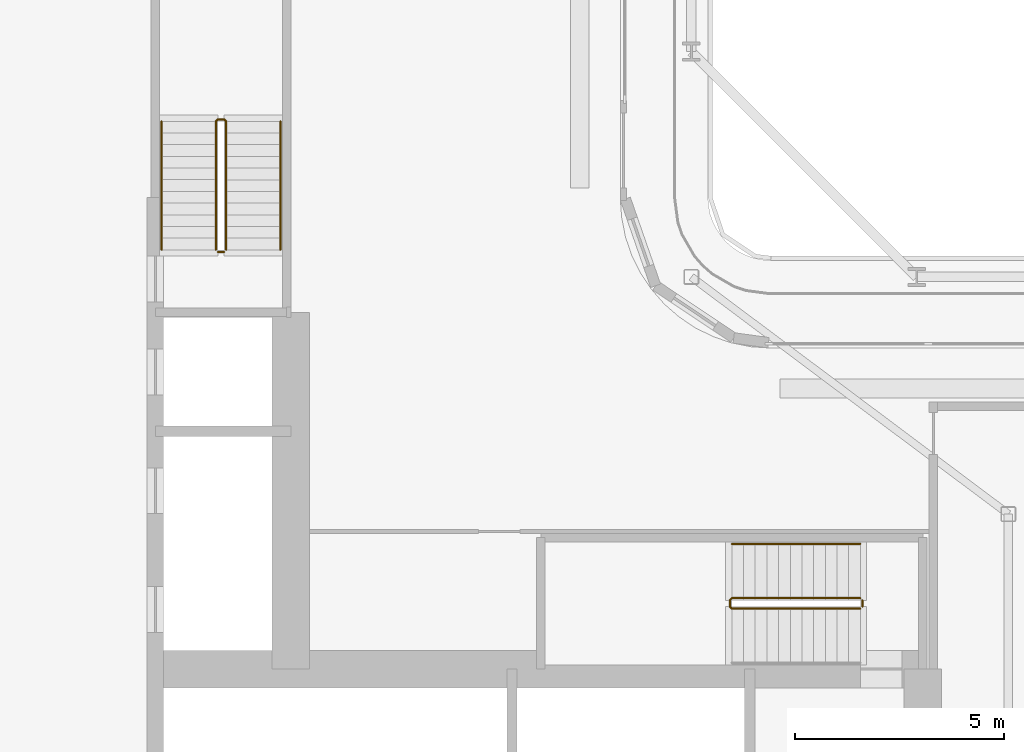
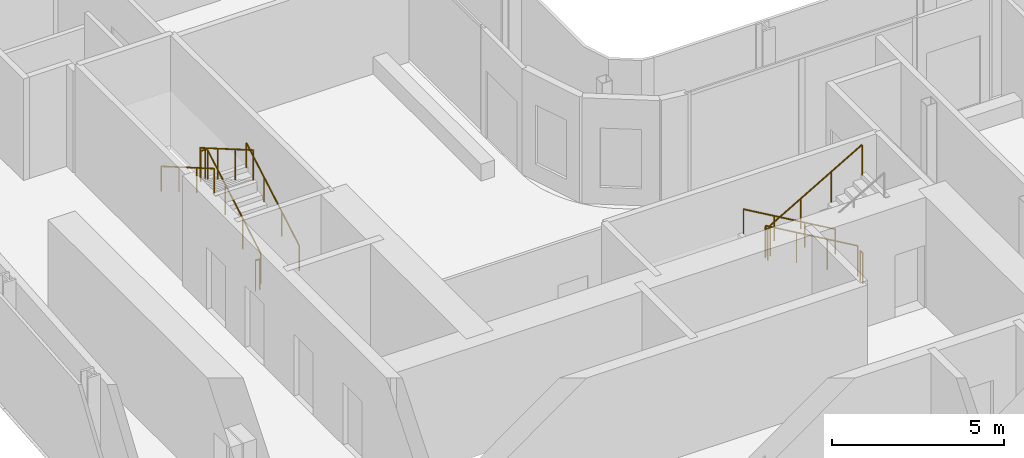
# One storey, part 20 of 25: 7 railings.
"""IFC4 building model written with IfcOpenShell, lengths in metres."""

from ifc_helpers import new_model, si_unit, direction, frame, origin, origin_2d, place, context, subcontext, project, spatial, circle, extrude, material, type_object, element, save


model = new_model("IFC4")

# Units and contexts
model_context = context("Model", 3, precision=1e-05, world=origin(), true_north=direction((0.0, 1.0)))
body_context = subcontext(model_context, "Body", "Model", "MODEL_VIEW")
ifc_project = project(units=[si_unit("LENGTHUNIT", "METRE"), si_unit("AREAUNIT", "SQUARE_METRE"), si_unit("VOLUMEUNIT", "CUBIC_METRE"), si_unit("PLANEANGLEUNIT", "RADIAN"), si_unit("MASSUNIT", "GRAM", prefix="KILO")], contexts=[model_context])

# Site, building, storey
site_placement = place(None, origin())
site = spatial("IfcSite", under=ifc_project, at=site_placement, CompositionType="ELEMENT")
building_placement = place(site_placement, origin())
building = spatial("IfcBuilding", under=site, at=building_placement, Name="Kheshtan School and Residences Tower", CompositionType="ELEMENT")
storey_placement = place(building_placement, frame((0.0, 0.0, 113.60009765625)))
storey = spatial("IfcBuildingStorey", under=building, at=storey_placement, Name="L26", CompositionType="ELEMENT", Elevation=113.60009765625)

# Railings
ifc_material_1 = material(Name="Stainless steel balustrade", Category="steel")
railing_type_1 = type_object("IfcRailingType", Name="Stair guard 1100", PredefinedType="GUARDRAIL", material=ifc_material_1)
railing_1_placement = place(storey_placement, frame((51.64990234375, 37.89990234375, 0.162353515625)))
element("IfcRailing", 1, at=railing_1_placement, inside=storey, type_object=railing_type_1, Name="L26 ST1 stair guard 1", PredefinedType="GUARDRAIL", context=body_context, shape_type="SweptSolid", body=[
    extrude(circle(Radius=0.02392578125, at=origin_2d()), frame((0.0, 0.0, 1.076171875), z_axis=(-0.864873446163, 0.0, 0.501989962173), x_axis=(0.0, -1.0, 0.0)), (0.0, 0.0, 1.0), 3.56103515625),
    extrude(circle(Radius=0.02392578125, at=origin_2d()), frame((-3.079833984375, 0.0, 2.86376953125), z_axis=(-0.708833529934, -0.705375805398, 0.0), x_axis=(0.705375805398, -0.708833529934, 0.0)), (0.0, 0.0, 1.0), 0.070556640625),
    extrude(circle(Radius=0.02392578125, at=origin_2d()), frame((-3.1298828125, -0.0498046875, 2.86376953125), z_axis=(0.0, -1.0, 0.0), x_axis=(1.0, 0.0, 0.0)), (0.0, 0.0, 1.0), 0.150146484375),
    extrude(circle(Radius=0.02392578125, at=origin_2d()), frame((-3.1298828125, -0.199951171875, 2.86376953125), z_axis=(0.282583949758, -0.282583949758, 0.916674763849), x_axis=(0.707106781187, 0.707106781187, 0.0)), (0.0, 0.0, 1.0), 0.177001953125),
    extrude(circle(Radius=0.02392578125, at=origin_2d()), frame((-3.079833984375, -0.25, 3.02587890625), z_axis=(0.864873446163, 0.0, 0.501989962173), x_axis=(0.0, 1.0, 0.0)), (0.0, 0.0, 1.0), 3.56103515625),
    extrude(circle(Radius=0.02099609375, at=origin_2d()), origin(), (0.0, 0.0, 1.0), 1.052001953125),
    extrude(circle(Radius=0.02099609375, at=origin_2d()), frame((-1.026611328125, 0.0, 0.595947265625)), (0.0, 0.0, 1.0), 1.052001953125),
    extrude(circle(Radius=0.02099609375, at=origin_2d()), frame((-2.05322265625, 0.0, 1.191650390625)), (0.0, 0.0, 1.0), 1.052001953125),
    extrude(circle(Radius=0.02099609375, at=origin_2d()), frame((-3.079833984375, 0.0, 1.78759765625)), (0.0, 0.0, 1.0), 1.052001953125),
    extrude(circle(Radius=0.02099609375, at=origin_2d()), frame((-3.1298828125, -0.0498046875, 1.78759765625)), (0.0, 0.0, 1.0), 1.052001953125),
    extrude(circle(Radius=0.02099609375, at=origin_2d()), frame((-3.1298828125, -0.199951171875, 1.78759765625)), (0.0, 0.0, 1.0), 1.052001953125),
    extrude(circle(Radius=0.02099609375, at=origin_2d()), frame((-3.079833984375, -0.25, 1.949951171875)), (0.0, 0.0, 1.0), 1.052001953125),
    extrude(circle(Radius=0.02099609375, at=origin_2d()), frame((-2.05322265625, -0.25, 2.5458984375)), (0.0, 0.0, 1.0), 1.052001953125),
    extrude(circle(Radius=0.02099609375, at=origin_2d()), frame((-1.026611328125, -0.25, 3.1416015625)), (0.0, 0.0, 1.0), 1.052001953125),
    extrude(circle(Radius=0.02099609375, at=origin_2d()), frame((0.0, -0.25, 3.737548828125)), (0.0, 0.0, 1.0), 1.052001953125),
])
railing_2_placement = place(storey_placement, frame((51.699951171875, 37.85009765625, 0.0)))
element("IfcRailing", 2, at=railing_2_placement, inside=storey, type_object=railing_type_1, Name="L26 ST1 stair guard 2", PredefinedType="GUARDRAIL", context=body_context, shape_type="SweptSolid", body=[
    extrude(circle(Radius=0.02392578125, at=origin_2d()), frame((0.0, 0.0, 1.076171875), z_axis=(0.0, -1.0, 0.0), x_axis=(1.0, 0.0, 0.0)), (0.0, 0.0, 1.0), 0.150146484375),
    extrude(circle(Radius=0.02099609375, at=origin_2d()), origin(), (0.0, 0.0, 1.0), 1.052001953125),
    extrude(circle(Radius=0.02099609375, at=origin_2d()), frame((0.0, -0.150146484375, 0.0)), (0.0, 0.0, 1.0), 1.052001953125),
])
railing_3_placement = place(storey_placement, frame((36.449951171875, 46.25, 0.162353515625)))
element("IfcRailing", 3, at=railing_3_placement, inside=storey, type_object=railing_type_1, Name="L26 ST2 stair guard 1", PredefinedType="GUARDRAIL", context=body_context, shape_type="SweptSolid", body=[
    extrude(circle(Radius=0.02392578125, at=origin_2d()), frame((0.0, 0.0, 1.076171875), z_axis=(0.0, 0.864890721111, 0.501960198159), x_axis=(-1.0, 0.0, 0.0)), (0.0, 0.0, 1.0), 3.561279296875),
    extrude(circle(Radius=0.02392578125, at=origin_2d()), frame((0.0, 3.080078125, 2.86376953125), z_axis=(-0.708833529934, 0.705375805398, 0.0), x_axis=(-0.705375805398, -0.708833529934, 0.0)), (0.0, 0.0, 1.0), 0.070556640625),
    extrude(circle(Radius=0.02392578125, at=origin_2d()), frame((-0.050048828125, 3.1298828125, 2.86376953125), z_axis=(-1.0, 0.0, 0.0), x_axis=(0.0, -1.0, 0.0)), (0.0, 0.0, 1.0), 0.14990234375),
    extrude(circle(Radius=0.02392578125, at=origin_2d()), frame((-0.199951171875, 3.1298828125, 2.86376953125), z_axis=(-0.282693820306, -0.281314826061, 0.917031173188), x_axis=(0.705375805398, -0.708833529934, 0.0)), (0.0, 0.0, 1.0), 0.177001953125),
    extrude(circle(Radius=0.02392578125, at=origin_2d()), frame((-0.25, 3.080078125, 3.02587890625), z_axis=(0.0, -0.864890721111, 0.501960198159), x_axis=(1.0, 0.0, 0.0)), (0.0, 0.0, 1.0), 3.561279296875),
    extrude(circle(Radius=0.02099609375, at=origin_2d()), origin(), (0.0, 0.0, 1.0), 1.052001953125),
    extrude(circle(Radius=0.02099609375, at=origin_2d()), frame((0.0, 1.026611328125, 0.595947265625)), (0.0, 0.0, 1.0), 1.052001953125),
    extrude(circle(Radius=0.02099609375, at=origin_2d()), frame((0.0, 2.053466796875, 1.191650390625)), (0.0, 0.0, 1.0), 1.052001953125),
    extrude(circle(Radius=0.02099609375, at=origin_2d()), frame((0.0, 3.080078125, 1.78759765625)), (0.0, 0.0, 1.0), 1.052001953125),
    extrude(circle(Radius=0.02099609375, at=origin_2d()), frame((-0.050048828125, 3.1298828125, 1.78759765625)), (0.0, 0.0, 1.0), 1.052001953125),
    extrude(circle(Radius=0.02099609375, at=origin_2d()), frame((-0.199951171875, 3.1298828125, 1.78759765625)), (0.0, 0.0, 1.0), 1.052001953125),
    extrude(circle(Radius=0.02099609375, at=origin_2d()), frame((-0.25, 3.080078125, 1.949951171875)), (0.0, 0.0, 1.0), 1.052001953125),
    extrude(circle(Radius=0.02099609375, at=origin_2d()), frame((-0.25, 2.053466796875, 2.5458984375)), (0.0, 0.0, 1.0), 1.052001953125),
    extrude(circle(Radius=0.02099609375, at=origin_2d()), frame((-0.25, 1.026611328125, 3.1416015625)), (0.0, 0.0, 1.0), 1.052001953125),
    extrude(circle(Radius=0.02099609375, at=origin_2d()), frame((-0.25, 0.0, 3.737548828125)), (0.0, 0.0, 1.0), 1.052001953125),
])
railing_4_placement = place(storey_placement, frame((36.39990234375, 46.199951171875, 0.0)))
element("IfcRailing", 4, at=railing_4_placement, inside=storey, type_object=railing_type_1, Name="L26 ST2 stair guard 2", PredefinedType="GUARDRAIL", context=body_context, shape_type="SweptSolid", body=[
    extrude(circle(Radius=0.02392578125, at=origin_2d()), frame((0.0, 0.0, 1.076171875), z_axis=(-1.0, 0.0, 0.0), x_axis=(0.0, -1.0, 0.0)), (0.0, 0.0, 1.0), 0.14990234375),
    extrude(circle(Radius=0.02099609375, at=origin_2d()), origin(), (0.0, 0.0, 1.0), 1.052001953125),
    extrude(circle(Radius=0.02099609375, at=origin_2d()), frame((-0.14990234375, 0.0, 0.0)), (0.0, 0.0, 1.0), 1.052001953125),
])
ifc_material_2 = material(Name="Stainless steel handrail", Category="steel")
railing_type_2 = type_object("IfcRailingType", Name="Stair handrail 900", PredefinedType="HANDRAIL", material=ifc_material_2)
railing_5_placement = place(storey_placement, frame((51.64990234375, 39.199951171875, 0.162353515625)))
element("IfcRailing", 5, at=railing_5_placement, inside=storey, type_object=railing_type_2, Name="L26 ST1 stair handrail 1", PredefinedType="HANDRAIL", context=body_context, shape_type="SweptSolid", body=[
    extrude(circle(Radius=0.02392578125, at=origin_2d()), frame((0.0, 0.0, 0.8759765625), z_axis=(-0.864873446163, 0.0, 0.501989962173), x_axis=(0.0, -1.0, 0.0)), (0.0, 0.0, 1.0), 3.56103515625),
    extrude(circle(Radius=0.02099609375, at=origin_2d()), origin(), (0.0, 0.0, 1.0), 0.851806640625),
    extrude(circle(Radius=0.02099609375, at=origin_2d()), frame((-1.026611328125, 0.0, 0.595947265625)), (0.0, 0.0, 1.0), 0.851806640625),
    extrude(circle(Radius=0.02099609375, at=origin_2d()), frame((-2.05322265625, 0.0, 1.191650390625)), (0.0, 0.0, 1.0), 0.851806640625),
    extrude(circle(Radius=0.02099609375, at=origin_2d()), frame((-3.079833984375, 0.0, 1.78759765625)), (0.0, 0.0, 1.0), 0.851806640625),
])
railing_6_placement = place(storey_placement, frame((37.75, 46.25, 0.162353515625)))
element("IfcRailing", 6, at=railing_6_placement, inside=storey, type_object=railing_type_2, Name="L26 ST2 stair handrail 1", PredefinedType="HANDRAIL", context=body_context, shape_type="SweptSolid", body=[
    extrude(circle(Radius=0.02392578125, at=origin_2d()), frame((0.0, 0.0, 0.8759765625), z_axis=(0.0, 0.864890721111, 0.501960198159), x_axis=(-1.0, 0.0, 0.0)), (0.0, 0.0, 1.0), 3.561279296875),
    extrude(circle(Radius=0.02099609375, at=origin_2d()), origin(), (0.0, 0.0, 1.0), 0.851806640625),
    extrude(circle(Radius=0.02099609375, at=origin_2d()), frame((0.0, 1.026611328125, 0.595947265625)), (0.0, 0.0, 1.0), 0.851806640625),
    extrude(circle(Radius=0.02099609375, at=origin_2d()), frame((0.0, 2.053466796875, 1.191650390625)), (0.0, 0.0, 1.0), 0.851806640625),
    extrude(circle(Radius=0.02099609375, at=origin_2d()), frame((0.0, 3.080078125, 1.78759765625)), (0.0, 0.0, 1.0), 0.851806640625),
])
railing_7_placement = place(storey_placement, frame((34.89990234375, 49.330078125, 2.1123046875)))
element("IfcRailing", 7, at=railing_7_placement, inside=storey, type_object=railing_type_2, Name="L26 ST2 stair handrail 2", PredefinedType="HANDRAIL", context=body_context, shape_type="SweptSolid", body=[
    extrude(circle(Radius=0.02392578125, at=origin_2d()), frame((0.0, 0.0, 0.8759765625), z_axis=(0.0, -0.864890721111, 0.501960198159), x_axis=(1.0, 0.0, 0.0)), (0.0, 0.0, 1.0), 3.561279296875),
    extrude(circle(Radius=0.02099609375, at=origin_2d()), origin(), (0.0, 0.0, 1.0), 0.851806640625),
    extrude(circle(Radius=0.02099609375, at=origin_2d()), frame((0.0, -1.026611328125, 0.595947265625)), (0.0, 0.0, 1.0), 0.851806640625),
    extrude(circle(Radius=0.02099609375, at=origin_2d()), frame((0.0, -2.053466796875, 1.191650390625)), (0.0, 0.0, 1.0), 0.851806640625),
    extrude(circle(Radius=0.02099609375, at=origin_2d()), frame((0.0, -3.080078125, 1.78759765625)), (0.0, 0.0, 1.0), 0.851806640625),
])

save(model, "model.ifc")
